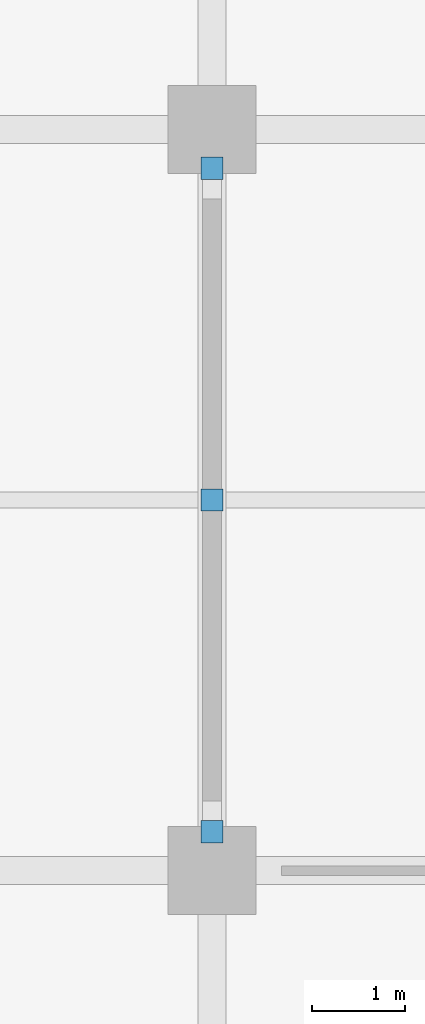
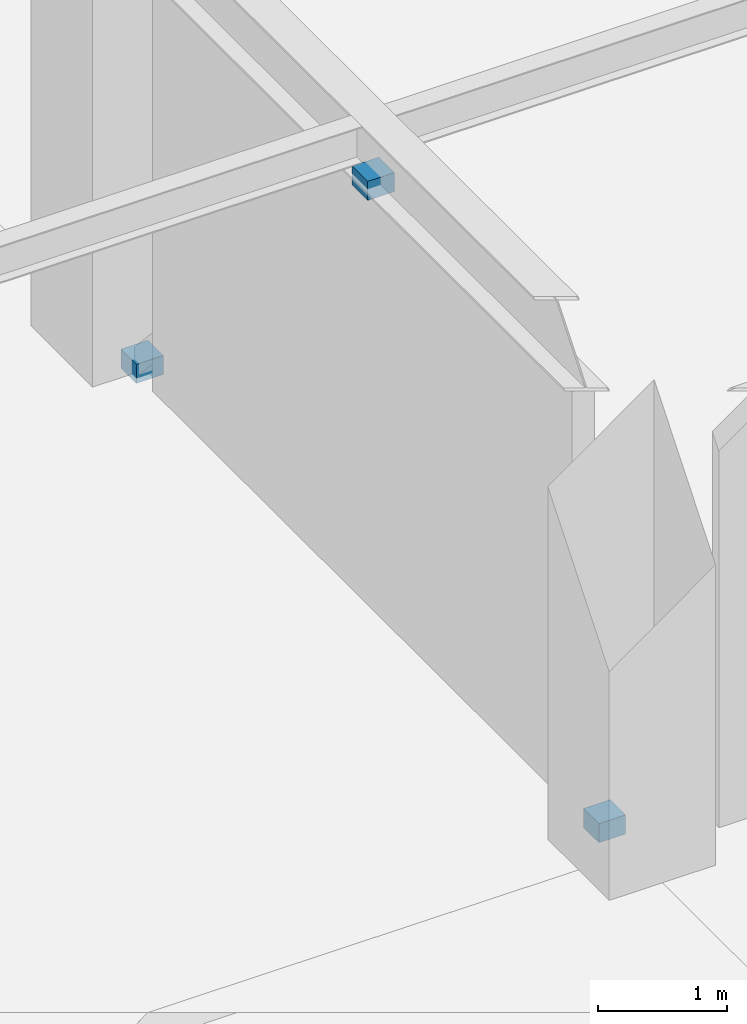
# One storey, part 90 of 109: 3 discrete accessories.
"""IFC4 building model written with IfcOpenShell, lengths in metres."""

from ifc_helpers import new_model, si_unit, direction, frame, origin, origin_2d, place, context, subcontext, project, spatial, rectangle, extrude, material, layer, layer_set, type_object, element, save


model = new_model("IFC4")

# Units and contexts
model_context = context("Model", 3, precision=1e-05, world=origin(), true_north=direction((0.0, 1.0)))
body_context = subcontext(model_context, "Body", "Model", "MODEL_VIEW")
ifc_project = project(units=[si_unit("LENGTHUNIT", "METRE"), si_unit("AREAUNIT", "SQUARE_METRE"), si_unit("VOLUMEUNIT", "CUBIC_METRE"), si_unit("PLANEANGLEUNIT", "RADIAN"), si_unit("MASSUNIT", "GRAM", prefix="KILO")], contexts=[model_context])

# Site, building, storey
site_placement = place(None, origin())
site = spatial("IfcSite", under=ifc_project, at=site_placement, CompositionType="ELEMENT")
building_placement = place(site_placement, origin())
building = spatial("IfcBuilding", under=site, at=building_placement, Name="Haebicheon Civic Stadium", CompositionType="ELEMENT")
storey_placement = place(building_placement, frame((0.0, 0.0, 9.60009765625)))
storey = spatial("IfcBuildingStorey", under=building, at=storey_placement, Name="L03", CompositionType="ELEMENT", Elevation=9.60009765625)

# Discrete accessories
ifc_material = material(Name="White painted steel SM490", Category="steel")
ifc_layer = layer(ifc_material, 0.179931640625, Name="White painted steel SM490")
ifc_layer_set = layer_set([ifc_layer], Name="White painted steel SM490")
discrete_accessory_type = type_object("IfcDiscreteAccessoryType", Name="BRK-END-PLT", PredefinedType="BRACKET", material=ifc_layer_set)
for number, where, z_axis, x_axis, name in (
    (1, (160.0, 128.419921875, -0.05029296875), (0.0, 0.0, 1.0), (1.0, 0.0, 0.0), "Brace L03-19-16 bolted end connection plate"),
    (2, (160.0, 135.580078125, -0.05029296875), (0.0, 0.0, 1.0), (1.0, 0.0, 0.0), "Brace L03-19-16 bolted end connection plate"),
    (3, (160.0, 132.0, 3.85009765625), (0.0, 0.0, 1.0), (1.0, 0.0, 0.0), "Brace L03-19-16 bolted end connection plate"),
):
    element("IfcDiscreteAccessory", number, at=place(storey_placement, frame(where, z_axis=z_axis, x_axis=x_axis)), inside=storey, type_object=discrete_accessory_type, material=ifc_layer_set, Name=name, PredefinedType="BRACKET", context=body_context, shape_type="SweptSolid", body=[
        extrude(rectangle(XDim=0.239990234375, YDim=0.239990234375, at=origin_2d()), origin(), (0.0, 0.0, 1.0), 0.179931640625),
    ])

save(model, "model.ifc")
